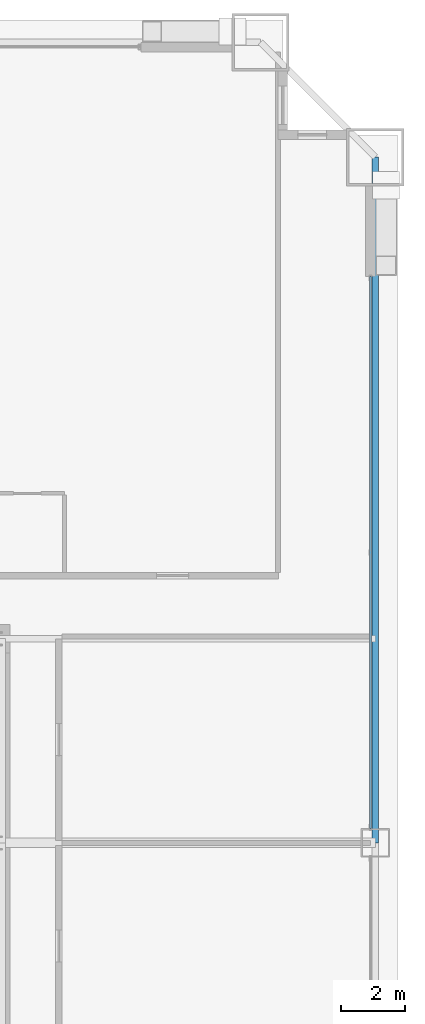
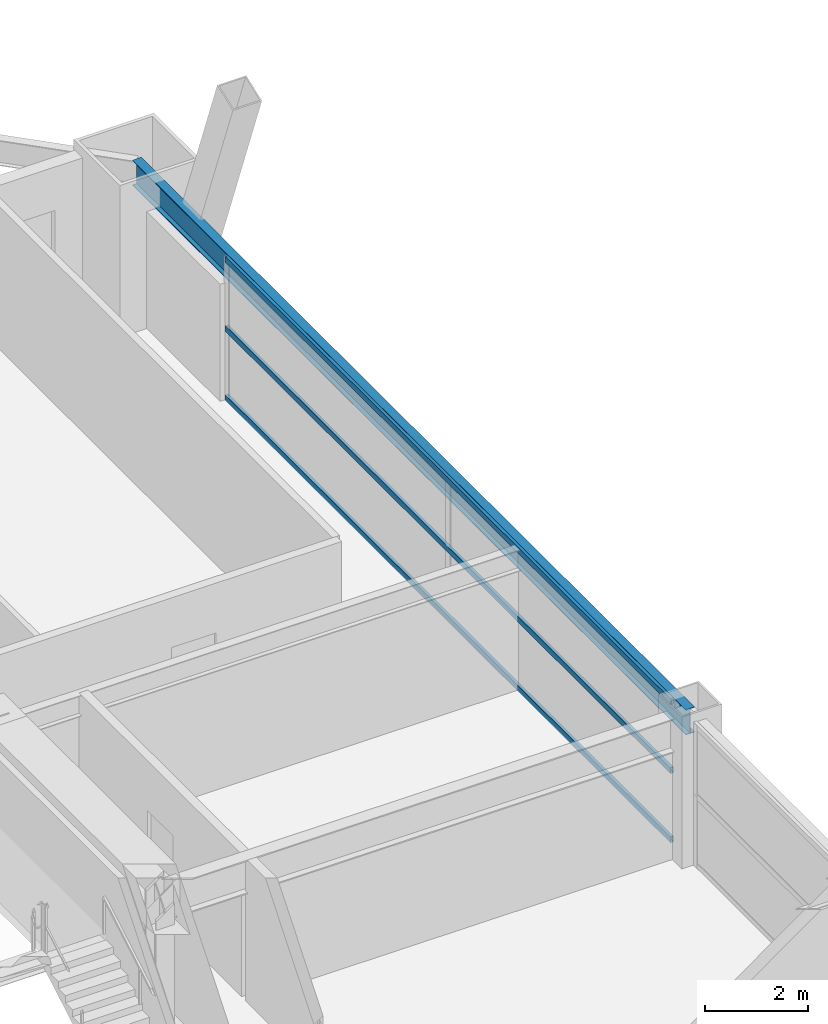
# One storey, part 33 of 43: 3 members, 1 beam, 1 element without a shape of its own.
"""IFC4 building model written with IfcOpenShell, lengths in metres."""

from ifc_helpers import new_model, si_unit, direction, frame, origin, origin_2d, place, context, subcontext, project, spatial, hollow_rectangle, i_section, extrude, source, transform, mapped, material, layer, layer_set, material_profile, profile_set, type_object, element, aggregate, save


model = new_model("IFC4")

# Units and contexts
model_context = context("Model", 3, precision=1e-05, world=origin(), true_north=direction((0.0, 1.0)))
body_context = subcontext(model_context, "Body", "Model", "MODEL_VIEW")
ifc_project = project(units=[si_unit("LENGTHUNIT", "METRE"), si_unit("AREAUNIT", "SQUARE_METRE"), si_unit("VOLUMEUNIT", "CUBIC_METRE"), si_unit("PLANEANGLEUNIT", "RADIAN"), si_unit("MASSUNIT", "GRAM", prefix="KILO"), si_unit("THERMODYNAMICTEMPERATUREUNIT", "KELVIN"), si_unit("POWERUNIT", "WATT")], contexts=[model_context])

# Site, building, storey
site_placement = place(None, origin())
site = spatial("IfcSite", under=ifc_project, at=site_placement, CompositionType="ELEMENT")
building_placement = place(site_placement, origin())
building = spatial("IfcBuilding", under=site, at=building_placement, Name="Yuzanri Waterfront Tower", CompositionType="ELEMENT")
storey_placement = place(building_placement, frame((0.0, 0.0, 74.800048828125)))
storey = spatial("IfcBuildingStorey", under=building, at=storey_placement, Name="L19", CompositionType="ELEMENT", Elevation=74.800048828125)

# Beam
ifc_material_1 = material(Name="Steel Q355B", Category="steel")
ifc_material_profile_1 = material_profile(ifc_material_1, i_section(OverallWidth=0.199951171875, OverallDepth=0.60009765625, WebThickness=0.010986328125, FlangeThickness=0.01708984375, at=origin_2d()), Name="HN 600x200x11x17")
ifc_profile_set_1 = profile_set([ifc_material_profile_1], Name="Steel Q355B")
beam_type = type_object("IfcBeamType", Name="Perimeter Spandrel Q355B HN 600x200", PredefinedType="SPANDREL", material=ifc_profile_set_1)
shared_shape_1 = source(origin(), body_context, "Body", "SweptSolid", [
    extrude(i_section(OverallWidth=0.199951171875, OverallDepth=0.60009765625, WebThickness=0.010986328125, FlangeThickness=0.01708984375, at=origin_2d()), origin(), (0.0, 0.0, 1.0), 21.5),
])
beam_placement = place(storey_placement, frame((62.10009765625, 25.800048828125, 3.079833984375), z_axis=(0.0, 1.0, 0.0), x_axis=(-1.0, 0.0, 0.0)))
element("IfcBeam", 1, at=beam_placement, inside=storey, type_object=beam_type, Name="L19 Perimeter Spandrel E2-E3", PredefinedType="SPANDREL", context=body_context, shape_type="MappedRepresentation", body=[
    mapped(shared_shape_1, transform((0.0, 0.0, 0.0), scale=1.0)),
])

# Curtain wall, members
ifc_material_2 = material(Name="Anodized Architectural Bronze", Category="metal")
ifc_layer = layer(ifc_material_2, 0.159912109375)
ifc_layer_set = layer_set([ifc_layer], Name="Anodized Architectural Bronze")
curtain_wall_type = type_object("IfcCurtainWallType", Name="Anodized Bronze Hotel Lower-Tier Recessed Unitized Curtain Wall 8100", PredefinedType="NOTDEFINED", material=ifc_layer_set)
curtain_wall_placement = place(storey_placement, origin())
curtain_wall = element("IfcCurtainWall", 2, at=curtain_wall_placement, inside=storey, type_object=curtain_wall_type, Name="L19 Curtain Wall CW-L19-ER", PredefinedType="NOTDEFINED")
ifc_material_3 = material(Name="Anodized Architectural Bronze", Category="metal")
ifc_material_profile_2 = material_profile(ifc_material_3, hollow_rectangle(XDim=0.070068359375, YDim=0.135009765625, WallThickness=0.00341796875, at=origin_2d()), Name="CWT 70x135")
ifc_profile_set_2 = profile_set([ifc_material_profile_2], Name="Anodized Architectural Bronze")
member_type = type_object("IfcMemberType", Name="Anodized Bronze Standard Curtain-Wall Transom 70x135", PredefinedType="USERDEFINED", material=ifc_profile_set_2)
shared_shape_2 = source(origin(), body_context, "Body", "SweptSolid", [
    extrude(hollow_rectangle(XDim=0.070068359375, YDim=0.135009765625, WallThickness=0.00341796875, at=origin_2d()), origin(), (0.0, 0.0, 1.0), 17.300048828125),
])
member_1_placement = place(storey_placement, frame((61.949951171875, 26.25, 0.050048828125), z_axis=(0.0, 1.0, 0.0), x_axis=(-1.0, 0.0, 0.0)))
member_1 = element("IfcMember", 3, at=member_1_placement, type_object=member_type, Name="CW-L19-ER Transom 1", ObjectType="TRANSOM", PredefinedType="USERDEFINED", context=body_context, shape_type="MappedRepresentation", body=[
    mapped(shared_shape_2, transform((0.0, 0.0, 0.0), scale=1.0)),
])
member_2_placement = place(storey_placement, frame((61.949951171875, 26.25, 1.68994140625), z_axis=(0.0, 1.0, 0.0), x_axis=(-1.0, 0.0, 0.0)))
member_2 = element("IfcMember", 4, at=member_2_placement, type_object=member_type, Name="CW-L19-ER Transom 2", ObjectType="TRANSOM", PredefinedType="USERDEFINED", context=body_context, shape_type="MappedRepresentation", body=[
    mapped(shared_shape_2, transform((0.0, 0.0, 0.0), scale=1.0)),
])
member_3_placement = place(storey_placement, frame((61.949951171875, 26.25, 3.329833984375), z_axis=(0.0, 1.0, 0.0), x_axis=(-1.0, 0.0, 0.0)))
member_3 = element("IfcMember", 5, at=member_3_placement, type_object=member_type, Name="CW-L19-ER Transom 3", ObjectType="TRANSOM", PredefinedType="USERDEFINED", context=body_context, shape_type="MappedRepresentation", body=[
    mapped(shared_shape_2, transform((0.0, 0.0, 0.0), scale=1.0)),
])
aggregate(curtain_wall, [member_1, member_2, member_3])

save(model, "model.ifc")
